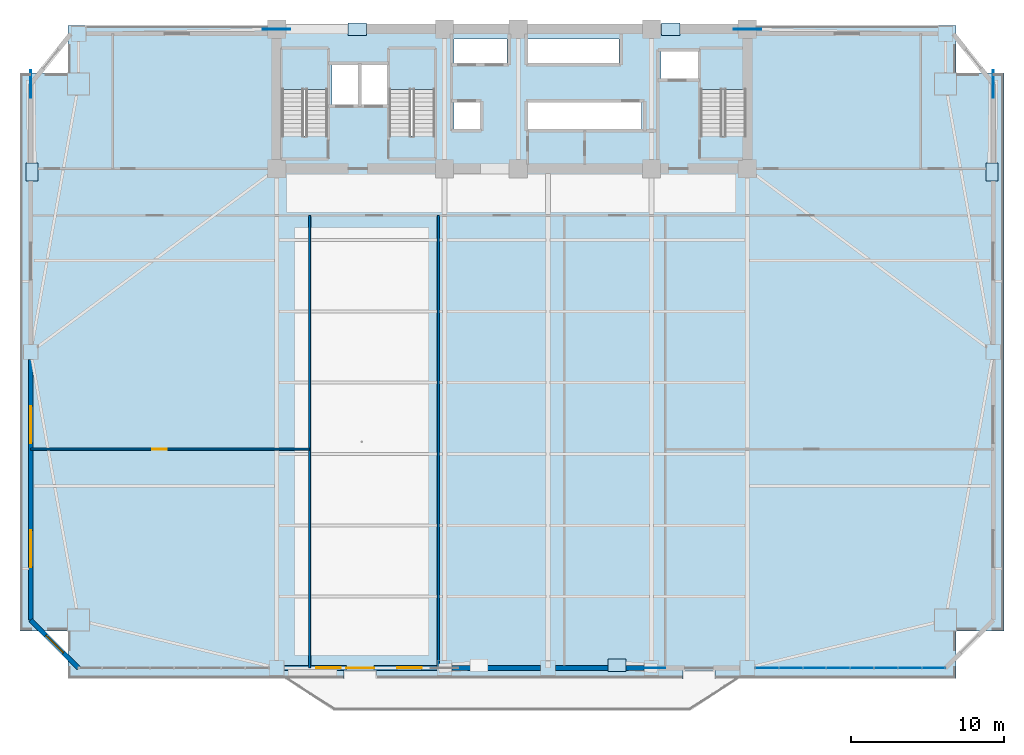
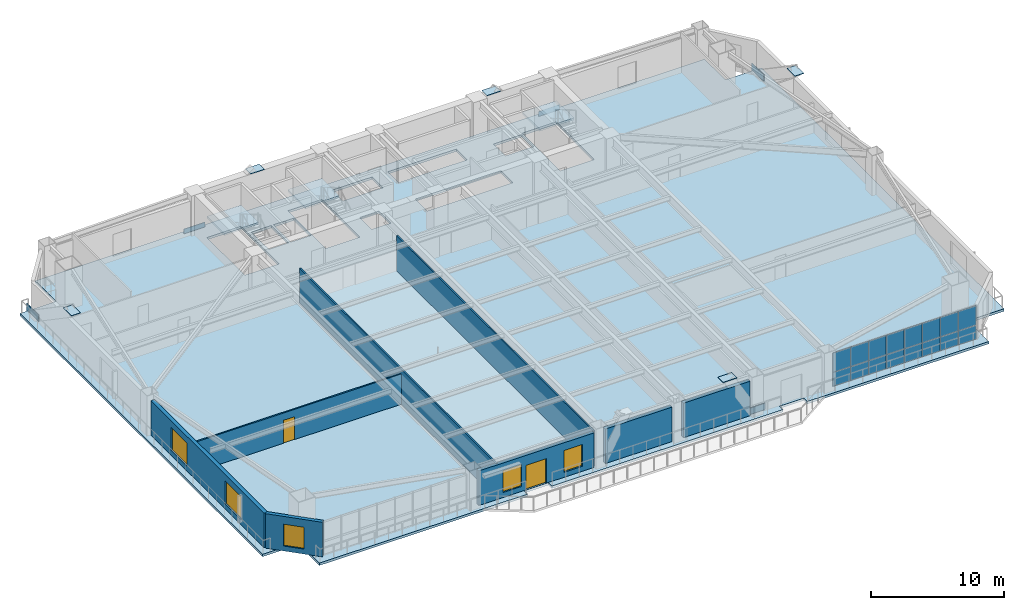
# One storey, part 9 of 18: 26 plates, 8 walls, 5 windows, 4 slabs, 2 doors, 7 openings, 4 elements without a shape of their own.
"""IFC4 building model written with IfcOpenShell, lengths in metres."""

from ifc_helpers import new_model, si_unit, direction, frame, frame_2d, origin, origin_2d, place, context, subcontext, project, spatial, polyline, rectangle, outline, extrude, source, transform, mapped, material, layer, layer_set, type_object, element, fill, aggregate, save


model = new_model("IFC4")

# Units and contexts
model_context = context("Model", 3, precision=1e-05, world=origin(), true_north=direction((0.0, 1.0)))
body_context = subcontext(model_context, "Body", "Model", "MODEL_VIEW")
ifc_project = project(units=[si_unit("LENGTHUNIT", "METRE"), si_unit("AREAUNIT", "SQUARE_METRE"), si_unit("VOLUMEUNIT", "CUBIC_METRE"), si_unit("PLANEANGLEUNIT", "RADIAN"), si_unit("MASSUNIT", "GRAM", prefix="KILO")], contexts=[model_context])

# Site, building, storey
site_placement = place(None, origin())
site = spatial("IfcSite", under=ifc_project, at=site_placement, CompositionType="ELEMENT")
building_placement = place(site_placement, origin())
building = spatial("IfcBuilding", under=site, at=building_placement, Name="Giltprow Tower", CompositionType="ELEMENT")
storey_placement = place(building_placement, frame((0.0, 0.0, 61.10009765625)))
storey = spatial("IfcBuildingStorey", under=building, at=storey_placement, Name="L15", CompositionType="ELEMENT", Elevation=61.10009765625)

# Slab
ifc_material_1 = material(Name="Concrete C40", Category="concrete")
ifc_layer_1 = layer(ifc_material_1, 0.219970703125, Name="Concrete C40")
ifc_layer_set_1 = layer_set([ifc_layer_1], Name="Concrete C40")
slab_type_1 = type_object("IfcSlabType", Name="SLB-OFF-220", PredefinedType="FLOOR", material=ifc_layer_set_1)
slab_1_placement = place(storey_placement, frame((0.0, 0.0, -0.22021484375)))
element("IfcSlab", 1, at=slab_1_placement, inside=storey, type_object=slab_type_1, Name="L15 Structural Composite Floor Slab", PredefinedType="FLOOR", context=body_context, shape_type="SweptSolid", body=[
    extrude(outline(polyline([(6.22705078125, 4.181884765625), (6.22705078125, 7.303955078125), (3.10498046875, 7.303955078125), (3.10498046875, 43.677978515625), (6.22705078125, 43.677978515625), (6.22705078125, 46.800048828125), (64.174072265625, 46.800048828125), (64.174072265625, 43.677978515625), (67.2958984375, 43.677978515625), (67.2958984375, 7.303955078125), (64.174072265625, 7.303955078125), (64.174072265625, 4.181884765625), (48.449951171875, 4.181884765625), (48.449951171875, 4.701904296875), (46.35009765625, 4.701904296875), (46.35009765625, 4.181884765625), (26.35009765625, 4.181884765625), (26.35009765625, 4.701904296875), (24.25, 4.701904296875), (24.25, 4.181884765625), (6.22705078125, 4.181884765625)]), holes=[polyline([(33.10009765625, 41.800048828125), (31.419921875, 41.800048828125), (31.419921875, 40.0), (33.10009765625, 40.0), (33.10009765625, 41.800048828125)]), polyline([(23.159912109375, 39.570068359375), (23.159912109375, 45.25), (20.199951171875, 45.25), (20.199951171875, 39.570068359375), (23.159912109375, 39.570068359375)]), polyline([(30.159912109375, 45.25), (27.199951171875, 45.25), (27.199951171875, 39.570068359375), (30.159912109375, 39.570068359375), (30.159912109375, 45.25)]), polyline([(25.169921875, 41.60009765625), (25.169921875, 44.199951171875), (23.449951171875, 44.199951171875), (23.449951171875, 41.60009765625), (25.169921875, 41.60009765625)]), polyline([(27.10009765625, 41.60009765625), (27.10009765625, 44.199951171875), (25.35009765625, 44.199951171875), (25.35009765625, 41.60009765625), (27.10009765625, 41.60009765625)]), polyline([(43.659912109375, 40.0), (43.659912109375, 41.800048828125), (36.239990234375, 41.800048828125), (36.239990234375, 40.0), (43.659912109375, 40.0)]), polyline([(50.4599609375, 39.570068359375), (50.4599609375, 45.25), (47.5, 45.25), (47.5, 39.570068359375), (50.4599609375, 39.570068359375)]), polyline([(47.3798828125, 45.10009765625), (44.919921875, 45.10009765625), (44.919921875, 43.300048828125), (47.3798828125, 43.300048828125), (47.3798828125, 45.10009765625)]), polyline([(34.8798828125, 44.300048828125), (34.8798828125, 45.919921875), (31.419921875, 45.919921875), (31.419921875, 44.300048828125), (34.8798828125, 44.300048828125)]), polyline([(42.169921875, 44.300048828125), (42.169921875, 45.919921875), (36.239990234375, 45.919921875), (36.239990234375, 44.300048828125), (42.169921875, 44.300048828125)])]), origin(), (0.0, 0.0, 1.0), 0.22021484375),
])

# Stair, slab
stair_type_1 = type_object("IfcStairType", Name="STR-ST-1", PredefinedType="HALF_TURN_STAIR", material=ifc_material_1)
stair_1_placement = place(storey_placement, origin())
stair_1 = element("IfcStair", 2, at=stair_1_placement, inside=storey, type_object=stair_type_1, Name="L15 Core Exit Stair ST-1", PredefinedType="HALF_TURN_STAIR")
ifc_layer_2 = layer(ifc_material_1, 0.179931640625, Name="Concrete C40")
ifc_layer_set_2 = layer_set([ifc_layer_2], Name="Concrete C40")
slab_type_2 = type_object("IfcSlabType", Name="SLD-ST-1", PredefinedType="LANDING", material=ifc_layer_set_2)
slab_2_placement = place(storey_placement, frame((0.0, 0.0, 1.77001953125)))
slab_2 = element("IfcSlab", 3, at=slab_2_placement, type_object=slab_type_2, Name="ST-1 landing 1", PredefinedType="LANDING", context=body_context, shape_type="SweptSolid", body=[
    extrude(outline(polyline([(23.159912109375, 42.6298828125), (23.159912109375, 45.25), (20.199951171875, 45.25), (20.199951171875, 42.6298828125), (23.159912109375, 42.6298828125)])), origin(), (0.0, 0.0, 1.0), 0.179931640625),
])
aggregate(stair_1, [slab_2])

stair_type_2 = type_object("IfcStairType", Name="STR-ST-2", PredefinedType="HALF_TURN_STAIR", material=ifc_material_1)
stair_2_placement = place(storey_placement, origin())
stair_2 = element("IfcStair", 4, at=stair_2_placement, inside=storey, type_object=stair_type_2, Name="L15 Core Exit Stair ST-2", PredefinedType="HALF_TURN_STAIR")
ifc_layer_3 = layer(ifc_material_1, 0.18798828125, Name="Concrete C40")
ifc_layer_set_3 = layer_set([ifc_layer_3], Name="Concrete C40")
slab_type_3 = type_object("IfcSlabType", Name="SLD-ST-2", PredefinedType="LANDING", material=ifc_layer_set_3)
slab_3_placement = place(storey_placement, frame((0.0, 0.0, 1.761962890625)))
slab_3 = element("IfcSlab", 5, at=slab_3_placement, type_object=slab_type_3, Name="ST-2 landing 1", PredefinedType="LANDING", context=body_context, shape_type="SweptSolid", body=[
    extrude(outline(polyline([(30.159912109375, 42.6298828125), (30.159912109375, 45.25), (27.199951171875, 45.25), (27.199951171875, 42.6298828125), (30.159912109375, 42.6298828125)])), origin(), (0.0, 0.0, 1.0), 0.18798828125),
])
aggregate(stair_2, [slab_3])

stair_type_3 = type_object("IfcStairType", Name="STR-ST-3", PredefinedType="HALF_TURN_STAIR", material=ifc_material_1)
stair_3_placement = place(storey_placement, origin())
stair_3 = element("IfcStair", 6, at=stair_3_placement, inside=storey, type_object=stair_type_3, Name="L15 Core Exit Stair ST-3", PredefinedType="HALF_TURN_STAIR")
ifc_layer_4 = layer(ifc_material_1, 0.196044921875, Name="Concrete C40")
ifc_layer_set_4 = layer_set([ifc_layer_4], Name="Concrete C40")
slab_type_4 = type_object("IfcSlabType", Name="SLD-ST-3", PredefinedType="LANDING", material=ifc_layer_set_4)
slab_4_placement = place(storey_placement, frame((0.0, 0.0, 1.75390625)))
slab_4 = element("IfcSlab", 7, at=slab_4_placement, type_object=slab_type_4, Name="ST-3 landing 1", PredefinedType="LANDING", context=body_context, shape_type="SweptSolid", body=[
    extrude(outline(polyline([(50.4599609375, 42.6298828125), (50.4599609375, 45.25), (47.5, 45.25), (47.5, 42.6298828125), (50.4599609375, 42.6298828125)])), origin(), (0.0, 0.0, 1.0), 0.196044921875),
])
aggregate(stair_3, [slab_4])

# Plates
ifc_material_2 = material(Name="Structural steel Q420GJC", Category="steel")
plate_type_1 = type_object("IfcPlateType", Name="PLT-NODE-MBN1", PredefinedType="USERDEFINED", material=ifc_material_2)
shared_shape_1 = source(origin(), body_context, "Body", "SweptSolid", [
    extrude(rectangle(XDim=1.800048828125, YDim=0.050048828125, at=origin_2d()), origin(), (0.0, 0.0, 1.0), 1.14990234375),
])
for number, where, z_axis, x_axis, name in (
    (8, (44.300048828125, 4.882080078125, -0.574951171875), (0.0, 0.0, 1.0), (1.0, 0.0, 0.0), "Mega-Brace Node L15-S-RA"),
    (9, (19.85009765625, 46.550048828125, -0.715087890625), (0.0, 0.0, 1.0), (1.0, 0.0, 0.0), "Mega-Brace Node L15-N-LA"),
    (10, (50.550048828125, 46.550048828125, -0.715087890625), (0.0, 0.0, 1.0), (1.0, 0.0, 0.0), "Mega-Brace Node L15-N-RA"),
    (11, (3.804931640625, 42.97802734375, -0.574951171875), (0.0, 0.0, 1.0), (0.0, 1.0, 0.0), "Mega-Brace Node L15-W-RA"),
    (12, (66.595947265625, 42.97802734375, -0.574951171875), (0.0, 0.0, 1.0), (0.0, 1.0, 0.0), "Mega-Brace Node L15-E-RA"),
):
    element("IfcPlate", number, at=place(storey_placement, frame(where, z_axis=z_axis, x_axis=x_axis)), inside=storey, type_object=plate_type_1, Name=name, ObjectType="GUSSET", PredefinedType="USERDEFINED", context=body_context, shape_type="MappedRepresentation", body=[
        mapped(shared_shape_1, transform((0.0, 0.0, 0.0), x_axis=(1.0, 0.0, 0.0), y_axis=(0.0, 1.0, 0.0), z_axis=(0.0, 0.0, 1.0), scale=1.0)),
    ])
plate_type_2 = type_object("IfcPlateType", Name="PLT-CAP-SEAL", PredefinedType="USERDEFINED", material=ifc_material_2)
shared_shape_2 = source(origin(), body_context, "Body", "SweptSolid", [
    extrude(rectangle(XDim=1.199951171875, YDim=0.800048828125, at=origin_2d()), origin(), (0.0, 0.0, 1.0), 0.034912109375),
])
for number, where, z_axis, x_axis, name in (
    (13, (42.050048828125, 5.05810546875, 3.88232421875), (0.0, 0.0, 1.0), (1.0, 0.0, 0.0), "Mega-Brace Node L15-S-RB"),
    (14, (25.10009765625, 46.550048828125, 3.74267578125), (0.0, 0.0, 1.0), (1.0, 0.0, 0.0), "Mega-Brace Node L15-N-LB"),
    (15, (45.56689453125, 46.550048828125, 3.74267578125), (0.0, 0.0, 1.0), (1.0, 0.0, 0.0), "Mega-Brace Node L15-N-RB"),
    (16, (3.883056640625, 37.237060546875, 3.88232421875), (0.0, 0.0, 1.0), (0.0, 1.0, 0.0), "Mega-Brace Node L15-W-RB"),
    (17, (66.51806640625, 37.237060546875, 3.88232421875), (0.0, 0.0, 1.0), (0.0, 1.0, 0.0), "Mega-Brace Node L15-E-RB"),
):
    element("IfcPlate", number, at=place(storey_placement, frame(where, z_axis=z_axis, x_axis=x_axis)), inside=storey, type_object=plate_type_2, Name=name, ObjectType="SPLICE", PredefinedType="USERDEFINED", context=body_context, shape_type="MappedRepresentation", body=[
        mapped(shared_shape_2, transform((0.0, 0.0, 0.0), x_axis=(1.0, 0.0, 0.0), y_axis=(0.0, 1.0, 0.0), z_axis=(0.0, 0.0, 1.0), scale=1.0)),
    ])

# Curtain wall, plates
ifc_material_3 = material(Name="Anodized bronze", Category="metal")
ifc_layer_5 = layer(ifc_material_3, 0.179931640625, Name="Anodized bronze")
ifc_layer_set_5 = layer_set([ifc_layer_5], Name="Anodized bronze")
curtain_wall_type = type_object("IfcCurtainWallType", Name="CW-OFF-RECESSED", PredefinedType="NOTDEFINED", material=ifc_layer_set_5)
curtain_wall_placement = place(storey_placement, origin())
curtain_wall = element("IfcCurtainWall", 18, at=curtain_wall_placement, inside=storey, type_object=curtain_wall_type, Name="L15 South Recessed Curtain Wall 6", PredefinedType="NOTDEFINED")
ifc_material_4 = material(Name="Insulated glass", Category="glass")
plate_type_3 = type_object("IfcPlateType", Name="CW-PANEL-IGU-28", PredefinedType="CURTAIN_PANEL", material=ifc_material_4)
shared_shape_3 = source(origin(), body_context, "Body", "SweptSolid", [
    extrude(rectangle(XDim=1.52294921875, YDim=0.028076171875, at=origin_2d()), origin(), (0.0, 0.0, 1.0), 1.259033203125),
])
plate_1_placement = place(storey_placement, frame((51.825927734375, 4.882080078125, 0.05419921875), z_axis=(0.0, 0.0, 1.0), x_axis=(1.0, 0.0, 0.0)))
plate_1 = element("IfcPlate", 19, at=plate_1_placement, type_object=plate_type_3, Name="L15 South Recessed Curtain Wall 6 Glazing Panel 1-1", PredefinedType="CURTAIN_PANEL", context=body_context, shape_type="MappedRepresentation", body=[
    mapped(shared_shape_3, transform((0.0, 0.0, 0.0), x_axis=(1.0, 0.0, 0.0), y_axis=(0.0, 1.0, 0.0), z_axis=(0.0, 0.0, 1.0), scale=1.0)),
])
plate_2_placement = place(storey_placement, frame((53.3798828125, 4.882080078125, 0.05419921875), z_axis=(0.0, 0.0, 1.0), x_axis=(1.0, 0.0, 0.0)))
plate_2 = element("IfcPlate", 20, at=plate_2_placement, type_object=plate_type_3, Name="L15 South Recessed Curtain Wall 6 Glazing Panel 2-1", PredefinedType="CURTAIN_PANEL", context=body_context, shape_type="MappedRepresentation", body=[
    mapped(shared_shape_3, transform((0.0, 0.0, 0.0), x_axis=(1.0, 0.0, 0.0), y_axis=(0.0, 1.0, 0.0), z_axis=(0.0, 0.0, 1.0), scale=1.0)),
])
plate_3_placement = place(storey_placement, frame((54.931884765625, 4.882080078125, 0.05419921875), z_axis=(0.0, 0.0, 1.0), x_axis=(1.0, 0.0, 0.0)))
plate_3 = element("IfcPlate", 21, at=plate_3_placement, type_object=plate_type_3, Name="L15 South Recessed Curtain Wall 6 Glazing Panel 3-1", PredefinedType="CURTAIN_PANEL", context=body_context, shape_type="MappedRepresentation", body=[
    mapped(shared_shape_3, transform((0.0, 0.0, 0.0), x_axis=(1.0, 0.0, 0.0), y_axis=(0.0, 1.0, 0.0), z_axis=(0.0, 0.0, 1.0), scale=1.0)),
])
plate_4_placement = place(storey_placement, frame((56.485107421875, 4.882080078125, 0.05419921875), z_axis=(0.0, 0.0, 1.0), x_axis=(1.0, 0.0, 0.0)))
plate_4 = element("IfcPlate", 22, at=plate_4_placement, type_object=plate_type_3, Name="L15 South Recessed Curtain Wall 6 Glazing Panel 4-1", PredefinedType="CURTAIN_PANEL", context=body_context, shape_type="MappedRepresentation", body=[
    mapped(shared_shape_3, transform((0.0, 0.0, 0.0), x_axis=(1.0, 0.0, 0.0), y_axis=(0.0, 1.0, 0.0), z_axis=(0.0, 0.0, 1.0), scale=1.0)),
])
plate_5_placement = place(storey_placement, frame((58.0380859375, 4.882080078125, 0.05419921875), z_axis=(0.0, 0.0, 1.0), x_axis=(1.0, 0.0, 0.0)))
plate_5 = element("IfcPlate", 23, at=plate_5_placement, type_object=plate_type_3, Name="L15 South Recessed Curtain Wall 6 Glazing Panel 5-1", PredefinedType="CURTAIN_PANEL", context=body_context, shape_type="MappedRepresentation", body=[
    mapped(shared_shape_3, transform((0.0, 0.0, 0.0), x_axis=(1.0, 0.0, 0.0), y_axis=(0.0, 1.0, 0.0), z_axis=(0.0, 0.0, 1.0), scale=1.0)),
])
plate_6_placement = place(storey_placement, frame((59.591064453125, 4.882080078125, 0.05419921875), z_axis=(0.0, 0.0, 1.0), x_axis=(1.0, 0.0, 0.0)))
plate_6 = element("IfcPlate", 24, at=plate_6_placement, type_object=plate_type_3, Name="L15 South Recessed Curtain Wall 6 Glazing Panel 6-1", PredefinedType="CURTAIN_PANEL", context=body_context, shape_type="MappedRepresentation", body=[
    mapped(shared_shape_3, transform((0.0, 0.0, 0.0), x_axis=(1.0, 0.0, 0.0), y_axis=(0.0, 1.0, 0.0), z_axis=(0.0, 0.0, 1.0), scale=1.0)),
])
plate_7_placement = place(storey_placement, frame((61.14404296875, 4.882080078125, 0.05419921875), z_axis=(0.0, 0.0, 1.0), x_axis=(1.0, 0.0, 0.0)))
plate_7 = element("IfcPlate", 25, at=plate_7_placement, type_object=plate_type_3, Name="L15 South Recessed Curtain Wall 6 Glazing Panel 7-1", PredefinedType="CURTAIN_PANEL", context=body_context, shape_type="MappedRepresentation", body=[
    mapped(shared_shape_3, transform((0.0, 0.0, 0.0), x_axis=(1.0, 0.0, 0.0), y_axis=(0.0, 1.0, 0.0), z_axis=(0.0, 0.0, 1.0), scale=1.0)),
])
plate_8_placement = place(storey_placement, frame((62.697021484375, 4.882080078125, 0.05419921875), z_axis=(0.0, 0.0, 1.0), x_axis=(1.0, 0.0, 0.0)))
plate_8 = element("IfcPlate", 26, at=plate_8_placement, type_object=plate_type_3, Name="L15 South Recessed Curtain Wall 6 Glazing Panel 8-1", PredefinedType="CURTAIN_PANEL", context=body_context, shape_type="MappedRepresentation", body=[
    mapped(shared_shape_3, transform((0.0, 0.0, 0.0), x_axis=(1.0, 0.0, 0.0), y_axis=(0.0, 1.0, 0.0), z_axis=(0.0, 0.0, 1.0), scale=1.0)),
])
shared_shape_4 = source(origin(), body_context, "Body", "SweptSolid", [
    extrude(rectangle(XDim=1.52294921875, YDim=0.028076171875, at=origin_2d()), origin(), (0.0, 0.0, 1.0), 1.764892578125),
])
plate_9_placement = place(storey_placement, frame((51.825927734375, 4.882080078125, 1.34130859375), z_axis=(0.0, 0.0, 1.0), x_axis=(1.0, 0.0, 0.0)))
plate_9 = element("IfcPlate", 27, at=plate_9_placement, type_object=plate_type_3, Name="L15 South Recessed Curtain Wall 6 Glazing Panel 1-2", PredefinedType="CURTAIN_PANEL", context=body_context, shape_type="MappedRepresentation", body=[
    mapped(shared_shape_4, transform((0.0, 0.0, 0.0), x_axis=(1.0, 0.0, 0.0), y_axis=(0.0, 1.0, 0.0), z_axis=(0.0, 0.0, 1.0), scale=1.0)),
])
plate_10_placement = place(storey_placement, frame((53.3798828125, 4.882080078125, 1.34130859375), z_axis=(0.0, 0.0, 1.0), x_axis=(1.0, 0.0, 0.0)))
plate_10 = element("IfcPlate", 28, at=plate_10_placement, type_object=plate_type_3, Name="L15 South Recessed Curtain Wall 6 Glazing Panel 2-2", PredefinedType="CURTAIN_PANEL", context=body_context, shape_type="MappedRepresentation", body=[
    mapped(shared_shape_4, transform((0.0, 0.0, 0.0), x_axis=(1.0, 0.0, 0.0), y_axis=(0.0, 1.0, 0.0), z_axis=(0.0, 0.0, 1.0), scale=1.0)),
])
plate_11_placement = place(storey_placement, frame((54.931884765625, 4.882080078125, 1.34130859375), z_axis=(0.0, 0.0, 1.0), x_axis=(1.0, 0.0, 0.0)))
plate_11 = element("IfcPlate", 29, at=plate_11_placement, type_object=plate_type_3, Name="L15 South Recessed Curtain Wall 6 Glazing Panel 3-2", PredefinedType="CURTAIN_PANEL", context=body_context, shape_type="MappedRepresentation", body=[
    mapped(shared_shape_4, transform((0.0, 0.0, 0.0), x_axis=(1.0, 0.0, 0.0), y_axis=(0.0, 1.0, 0.0), z_axis=(0.0, 0.0, 1.0), scale=1.0)),
])
plate_12_placement = place(storey_placement, frame((56.485107421875, 4.882080078125, 1.34130859375), z_axis=(0.0, 0.0, 1.0), x_axis=(1.0, 0.0, 0.0)))
plate_12 = element("IfcPlate", 30, at=plate_12_placement, type_object=plate_type_3, Name="L15 South Recessed Curtain Wall 6 Glazing Panel 4-2", PredefinedType="CURTAIN_PANEL", context=body_context, shape_type="MappedRepresentation", body=[
    mapped(shared_shape_4, transform((0.0, 0.0, 0.0), x_axis=(1.0, 0.0, 0.0), y_axis=(0.0, 1.0, 0.0), z_axis=(0.0, 0.0, 1.0), scale=1.0)),
])
plate_13_placement = place(storey_placement, frame((58.0380859375, 4.882080078125, 1.34130859375), z_axis=(0.0, 0.0, 1.0), x_axis=(1.0, 0.0, 0.0)))
plate_13 = element("IfcPlate", 31, at=plate_13_placement, type_object=plate_type_3, Name="L15 South Recessed Curtain Wall 6 Glazing Panel 5-2", PredefinedType="CURTAIN_PANEL", context=body_context, shape_type="MappedRepresentation", body=[
    mapped(shared_shape_4, transform((0.0, 0.0, 0.0), x_axis=(1.0, 0.0, 0.0), y_axis=(0.0, 1.0, 0.0), z_axis=(0.0, 0.0, 1.0), scale=1.0)),
])
plate_14_placement = place(storey_placement, frame((59.591064453125, 4.882080078125, 1.34130859375), z_axis=(0.0, 0.0, 1.0), x_axis=(1.0, 0.0, 0.0)))
plate_14 = element("IfcPlate", 32, at=plate_14_placement, type_object=plate_type_3, Name="L15 South Recessed Curtain Wall 6 Glazing Panel 6-2", PredefinedType="CURTAIN_PANEL", context=body_context, shape_type="MappedRepresentation", body=[
    mapped(shared_shape_4, transform((0.0, 0.0, 0.0), x_axis=(1.0, 0.0, 0.0), y_axis=(0.0, 1.0, 0.0), z_axis=(0.0, 0.0, 1.0), scale=1.0)),
])
plate_15_placement = place(storey_placement, frame((61.14404296875, 4.882080078125, 1.34130859375), z_axis=(0.0, 0.0, 1.0), x_axis=(1.0, 0.0, 0.0)))
plate_15 = element("IfcPlate", 33, at=plate_15_placement, type_object=plate_type_3, Name="L15 South Recessed Curtain Wall 6 Glazing Panel 7-2", PredefinedType="CURTAIN_PANEL", context=body_context, shape_type="MappedRepresentation", body=[
    mapped(shared_shape_4, transform((0.0, 0.0, 0.0), x_axis=(1.0, 0.0, 0.0), y_axis=(0.0, 1.0, 0.0), z_axis=(0.0, 0.0, 1.0), scale=1.0)),
])
plate_16_placement = place(storey_placement, frame((62.697021484375, 4.882080078125, 1.34130859375), z_axis=(0.0, 0.0, 1.0), x_axis=(1.0, 0.0, 0.0)))
plate_16 = element("IfcPlate", 34, at=plate_16_placement, type_object=plate_type_3, Name="L15 South Recessed Curtain Wall 6 Glazing Panel 8-2", PredefinedType="CURTAIN_PANEL", context=body_context, shape_type="MappedRepresentation", body=[
    mapped(shared_shape_4, transform((0.0, 0.0, 0.0), x_axis=(1.0, 0.0, 0.0), y_axis=(0.0, 1.0, 0.0), z_axis=(0.0, 0.0, 1.0), scale=1.0)),
])
aggregate(curtain_wall, [plate_1, plate_9, plate_2, plate_10, plate_3, plate_11, plate_4, plate_12, plate_5, plate_13, plate_6, plate_14, plate_7, plate_15, plate_8, plate_16])

# Wall, opening, window
ifc_material_5 = material(Name="Precast concrete C40", Category="concrete")
ifc_layer_6 = layer(ifc_material_5, 0.300048828125, Name="Precast concrete C40")
ifc_layer_set_6 = layer_set([ifc_layer_6], Name="Precast concrete C40")
wall_type_1 = type_object("IfcWallType", Name="EW-NOTCH-CHAMFER-300", PredefinedType="SOLIDWALL", material=ifc_layer_set_6)
wall_1_placement = place(storey_placement, frame((3.804931640625, 8.00390625, 0.0), z_axis=(0.0, 0.0, 1.0), x_axis=(0.707134429005, -0.707079132287, 0.0)))
wall_1 = element("IfcWall", 35, at=wall_1_placement, inside=storey, type_object=wall_type_1, Name="L15 Corner Notch Wall SW", PredefinedType="SOLIDWALL", context=body_context, shape_type="SweptSolid", body=[
    extrude(rectangle(XDim=4.4150390625, YDim=0.300048828125, at=frame_2d((2.20751953125, 0.0))), origin(), (0.0, 0.0, 1.0), 3.159912109375),
])
opening_1_placement = place(wall_1_placement, frame((1.407958984375, 0.0, 0.449951171875)))
opening_1 = element("IfcOpeningElement", 36, at=opening_1_placement, cuts=wall_1, Name="Opening WN17", PredefinedType="OPENING", context=body_context, shape_type="SweptSolid", body=[
    extrude(rectangle(XDim=1.60009765625, YDim=2.0, at=frame_2d((0.800048828125, 1.0))), frame((0.0, 0.159912109375, 0.0), z_axis=(0.0, -1.0, 0.0), x_axis=(1.0, 0.0, 0.0)), (0.0, 0.0, 1.0), 0.320068359375),
])
window_type_1 = type_object("IfcWindowType", Name="WN-COR-1600x2000", PartitioningType="SINGLE_PANEL", PredefinedType="WINDOW", material=ifc_material_4)
shared_shape_5 = source(origin(), body_context, "Body", "SweptSolid", [
    extrude(rectangle(XDim=1.60009765625, YDim=2.0, at=frame_2d((0.800048828125, 1.0))), frame((0.0, 0.030029296875, 0.0), z_axis=(0.0, -1.0, 0.0), x_axis=(1.0, 0.0, 0.0)), (0.0, 0.0, 1.0), 0.06005859375),
])
window_1_placement = place(opening_1_placement, origin())
window_1 = element("IfcWindow", 37, at=window_1_placement, inside=storey, type_object=window_type_1, Name="L15 Corner Notch Window SW", OverallHeight=2.0, OverallWidth=1.60009765625, PartitioningType="SINGLE_PANEL", PredefinedType="WINDOW", context=body_context, shape_type="MappedRepresentation", body=[
    mapped(shared_shape_5, transform((0.0, 0.0, 0.0), x_axis=(1.0, 0.0, 0.0), y_axis=(0.0, 1.0, 0.0), z_axis=(0.0, 0.0, 1.0), scale=1.0)),
])
fill(opening_1, window_1)

# Wall, openings, windows, door
ifc_layer_7 = layer(ifc_material_5, 0.320068359375, Name="Precast concrete C40")
ifc_layer_set_7 = layer_set([ifc_layer_7], Name="Precast concrete C40")
wall_type_2 = type_object("IfcWallType", Name="EW-TOW-STONE-320", PredefinedType="SOLIDWALL", material=ifc_layer_set_7)
wall_2_placement = place(storey_placement, frame((20.35009765625, 4.882080078125, 0.0), z_axis=(0.0, 0.0, 1.0), x_axis=(1.0, 0.0, 0.0)))
wall_2 = element("IfcWall", 38, at=wall_2_placement, inside=storey, type_object=wall_type_2, Name="L15 South Expressed Frame Wall 2", PredefinedType="SOLIDWALL", context=body_context, shape_type="SweptSolid", body=[
    extrude(rectangle(XDim=9.949951171875, YDim=0.320068359375, at=frame_2d((4.97509765625, 0.0))), origin(), (0.0, 0.0, 1.0), 3.159912109375),
])
opening_2_placement = place(wall_2_placement, frame((4.050048828125, 0.0, 0.0)))
opening_2 = element("IfcOpeningElement", 39, at=opening_2_placement, cuts=wall_2, Name="Opening ED25", PredefinedType="OPENING", context=body_context, shape_type="SweptSolid", body=[
    extrude(rectangle(XDim=1.800048828125, YDim=2.25, at=frame_2d((0.89990234375, 1.125))), frame((0.0, 0.169921875, 0.0), z_axis=(0.0, -1.0, 0.0), x_axis=(1.0, 0.0, 0.0)), (0.0, 0.0, 1.0), 0.340087890625),
])
opening_3_placement = place(wall_2_placement, frame((2.094970703125, 0.0, 0.449951171875)))
opening_3 = element("IfcOpeningElement", 40, at=opening_3_placement, cuts=wall_2, Name="Opening WN17", PredefinedType="OPENING", context=body_context, shape_type="SweptSolid", body=[
    extrude(rectangle(XDim=1.60009765625, YDim=2.0, at=frame_2d((0.800048828125, 1.0))), frame((0.0, 0.169921875, 0.0), z_axis=(0.0, -1.0, 0.0), x_axis=(1.0, 0.0, 0.0)), (0.0, 0.0, 1.0), 0.340087890625),
])
opening_4_placement = place(wall_2_placement, frame((7.35009765625, 0.0, 0.449951171875)))
opening_4 = element("IfcOpeningElement", 41, at=opening_4_placement, cuts=wall_2, Name="Opening WN17", PredefinedType="OPENING", context=body_context, shape_type="SweptSolid", body=[
    extrude(rectangle(XDim=1.60009765625, YDim=2.0, at=frame_2d((0.800048828125, 1.0))), frame((0.0, 0.169921875, 0.0), z_axis=(0.0, -1.0, 0.0), x_axis=(1.0, 0.0, 0.0)), (0.0, 0.0, 1.0), 0.340087890625),
])
window_2_placement = place(opening_3_placement, origin())
window_2 = element("IfcWindow", 42, at=window_2_placement, inside=storey, type_object=window_type_1, Name="L15 South Window 2A", OverallHeight=2.0, OverallWidth=1.60009765625, PartitioningType="SINGLE_PANEL", PredefinedType="WINDOW", context=body_context, shape_type="MappedRepresentation", body=[
    mapped(shared_shape_5, transform((0.0, 0.0, 0.0), x_axis=(1.0, 0.0, 0.0), y_axis=(0.0, 1.0, 0.0), z_axis=(0.0, 0.0, 1.0), scale=1.0)),
])
fill(opening_3, window_2)
window_3_placement = place(opening_4_placement, origin())
window_3 = element("IfcWindow", 43, at=window_3_placement, inside=storey, type_object=window_type_1, Name="L15 South Window 2B", OverallHeight=2.0, OverallWidth=1.60009765625, PartitioningType="SINGLE_PANEL", PredefinedType="WINDOW", context=body_context, shape_type="MappedRepresentation", body=[
    mapped(shared_shape_5, transform((0.0, 0.0, 0.0), x_axis=(1.0, 0.0, 0.0), y_axis=(0.0, 1.0, 0.0), z_axis=(0.0, 0.0, 1.0), scale=1.0)),
])
fill(opening_4, window_3)
ifc_material_6 = material(Name="Anodized bronze and glass", Category="glass")
door_type_1 = type_object("IfcDoorType", Name="DR-BALC-SLIDE-1800", OperationType="SLIDING_TO_LEFT", PredefinedType="DOOR", material=ifc_material_6)
shared_shape_6 = source(origin(), body_context, "Body", "SweptSolid", [
    extrude(rectangle(XDim=1.800048828125, YDim=2.25, at=frame_2d((0.89990234375, 1.125))), frame((0.0, 0.02490234375, 0.0), z_axis=(0.0, -1.0, 0.0), x_axis=(1.0, 0.0, 0.0)), (0.0, 0.0, 1.0), 0.050048828125),
])
door_1_placement = place(opening_2_placement, origin())
door_1 = element("IfcDoor", 44, at=door_1_placement, inside=storey, type_object=door_type_1, Name="L15 Waterfront Balcony Sliding Door 1", OperationType="SLIDING_TO_LEFT", OverallHeight=2.25, OverallWidth=1.800048828125, PredefinedType="DOOR", context=body_context, shape_type="MappedRepresentation", body=[
    mapped(shared_shape_6, transform((0.0, 0.0, 0.0), x_axis=(1.0, 0.0, 0.0), y_axis=(0.0, 1.0, 0.0), z_axis=(0.0, 0.0, 1.0), scale=1.0)),
])
fill(opening_2, door_1)

# Walls
for number, where, z_axis, x_axis, name in (
    (45, (31.300048828125, 4.882080078125, 0.0), (0.0, 0.0, 1.0), (1.0, 0.0, 0.0), "L15 South Expressed Frame Wall 3"),
    (46, (38.050048828125, 4.882080078125, 0.0), (0.0, 0.0, 1.0), (1.0, 0.0, 0.0), "L15 South Expressed Frame Wall 4"),
):
    element("IfcWall", number, at=place(storey_placement, frame(where, z_axis=z_axis, x_axis=x_axis)), inside=storey, type_object=wall_type_2, Name=name, PredefinedType="SOLIDWALL", context=body_context, shape_type="SweptSolid", body=[
        extrude(rectangle(XDim=5.75, YDim=0.320068359375, at=frame_2d((2.875, 0.0))), origin(), (0.0, 0.0, 1.0), 3.159912109375),
    ])

# Wall, openings, windows
wall_3_placement = place(storey_placement, frame((3.804931640625, 8.00390625, 0.0), z_axis=(0.0, 0.0, 1.0), x_axis=(0.0, 1.0, 0.0)))
wall_3 = element("IfcWall", 47, at=wall_3_placement, inside=storey, type_object=wall_type_2, Name="L15 W Wing Masonry Wall 1", PredefinedType="SOLIDWALL", context=body_context, shape_type="SweptSolid", body=[
    extrude(rectangle(XDim=16.987060546875, YDim=0.320068359375, at=frame_2d((8.49365234375, 0.0))), origin(), (0.0, 0.0, 1.0), 3.159912109375),
])
opening_5_placement = place(wall_3_placement, frame((3.45703125, 0.0, 0.449951171875)))
opening_5 = element("IfcOpeningElement", 48, at=opening_5_placement, cuts=wall_3, Name="Opening WN29", PredefinedType="OPENING", context=body_context, shape_type="SweptSolid", body=[
    extrude(rectangle(XDim=2.39990234375, YDim=2.10009765625, at=frame_2d((1.199951171875, 1.050048828125))), frame((0.0, 0.169921875, 0.0), z_axis=(0.0, -1.0, 0.0), x_axis=(1.0, 0.0, 0.0)), (0.0, 0.0, 1.0), 0.340087890625),
])
opening_6_placement = place(wall_3_placement, frame((11.551025390625, 0.0, 0.449951171875)))
opening_6 = element("IfcOpeningElement", 49, at=opening_6_placement, cuts=wall_3, Name="Opening WN29", PredefinedType="OPENING", context=body_context, shape_type="SweptSolid", body=[
    extrude(rectangle(XDim=2.39990234375, YDim=2.10009765625, at=frame_2d((1.199951171875, 1.050048828125))), frame((0.0, 0.169921875, 0.0), z_axis=(0.0, -1.0, 0.0), x_axis=(1.0, 0.0, 0.0)), (0.0, 0.0, 1.0), 0.340087890625),
])
window_type_2 = type_object("IfcWindowType", Name="WN-OFF-2400x2100", PartitioningType="DOUBLE_PANEL_VERTICAL", PredefinedType="WINDOW", material=ifc_material_4)
shared_shape_7 = source(origin(), body_context, "Body", "SweptSolid", [
    extrude(rectangle(XDim=2.39990234375, YDim=2.10009765625, at=frame_2d((1.199951171875, 1.050048828125))), frame((0.0, 0.030029296875, 0.0), z_axis=(0.0, -1.0, 0.0), x_axis=(1.0, 0.0, 0.0)), (0.0, 0.0, 1.0), 0.06005859375),
])
window_4_placement = place(opening_5_placement, origin())
window_4 = element("IfcWindow", 50, at=window_4_placement, inside=storey, type_object=window_type_2, Name="L15 W Wing Window 1-1A", OverallHeight=2.10009765625, OverallWidth=2.39990234375, PartitioningType="SINGLE_PANEL", PredefinedType="WINDOW", context=body_context, shape_type="MappedRepresentation", body=[
    mapped(shared_shape_7, transform((0.0, 0.0, 0.0), x_axis=(1.0, 0.0, 0.0), y_axis=(0.0, 1.0, 0.0), z_axis=(0.0, 0.0, 1.0), scale=1.0)),
])
fill(opening_5, window_4)
window_5_placement = place(opening_6_placement, origin())
window_5 = element("IfcWindow", 51, at=window_5_placement, inside=storey, type_object=window_type_2, Name="L15 W Wing Window 1-1B", OverallHeight=2.10009765625, OverallWidth=2.39990234375, PartitioningType="SINGLE_PANEL", PredefinedType="WINDOW", context=body_context, shape_type="MappedRepresentation", body=[
    mapped(shared_shape_7, transform((0.0, 0.0, 0.0), x_axis=(1.0, 0.0, 0.0), y_axis=(0.0, 1.0, 0.0), z_axis=(0.0, 0.0, 1.0), scale=1.0)),
])
fill(opening_6, window_5)

# Wall, opening, door
ifc_material_7 = material(Name="Gypsum stud partition", Category="gypsum")
ifc_layer_8 = layer(ifc_material_7, 0.1201171875, Name="Gypsum stud partition")
ifc_layer_set_8 = layer_set([ifc_layer_8], Name="Gypsum stud partition")
wall_type_3 = type_object("IfcWallType", Name="IW-ROOM-120", PredefinedType="PARTITIONING", material=ifc_layer_set_8)
wall_4_placement = place(storey_placement, frame((3.804931640625, 19.155029296875, 0.0), z_axis=(0.0, 0.0, 1.0), x_axis=(1.0, 0.0, 0.0)))
wall_4 = element("IfcWall", 52, at=wall_4_placement, inside=storey, type_object=wall_type_3, Name="L15 Office Mid Wall 1", PredefinedType="PARTITIONING", context=body_context, shape_type="SweptSolid", body=[
    extrude(rectangle(XDim=18.195068359375, YDim=0.1201171875, at=frame_2d((9.09765625, 0.0))), origin(), (0.0, 0.0, 1.0), 2.764892578125),
])
opening_7_placement = place(wall_4_placement, frame((7.9208984375, 0.0, 0.0)))
opening_7 = element("IfcOpeningElement", 53, at=opening_7_placement, cuts=wall_4, Name="Opening ID11", PredefinedType="OPENING", context=body_context, shape_type="SweptSolid", body=[
    extrude(rectangle(XDim=0.949951171875, YDim=2.10009765625, at=frame_2d((0.47509765625, 1.050048828125))), frame((0.0, 0.070068359375, 0.0), z_axis=(0.0, -1.0, 0.0), x_axis=(1.0, 0.0, 0.0)), (0.0, 0.0, 1.0), 0.14013671875),
])
ifc_material_8 = material(Name="Engineered timber", Category="wood")
door_type_2 = type_object("IfcDoorType", Name="DR-ROOM-950", OperationType="SINGLE_SWING_RIGHT", PredefinedType="DOOR", material=ifc_material_8)
shared_shape_8 = source(origin(), body_context, "Body", "SweptSolid", [
    extrude(rectangle(XDim=0.949951171875, YDim=2.10009765625, at=frame_2d((0.47509765625, 1.050048828125))), frame((0.0, 0.02490234375, 0.0), z_axis=(0.0, -1.0, 0.0), x_axis=(1.0, 0.0, 0.0)), (0.0, 0.0, 1.0), 0.050048828125),
])
door_2_placement = place(opening_7_placement, origin())
door_2 = element("IfcDoor", 54, at=door_2_placement, inside=storey, type_object=door_type_2, Name="L15 Design Flagship Shop 1 Inner Door", OperationType="SINGLE_SWING_LEFT", OverallHeight=2.10009765625, OverallWidth=0.949951171875, PredefinedType="DOOR", context=body_context, shape_type="MappedRepresentation", body=[
    mapped(shared_shape_8, transform((0.0, 0.0, 0.0), x_axis=(1.0, 0.0, 0.0), y_axis=(0.0, 1.0, 0.0), z_axis=(0.0, 0.0, 1.0), scale=1.0)),
])
fill(opening_7, door_2)

# Walls
wall_5_placement = place(storey_placement, frame((22.0, 4.882080078125, 0.0), z_axis=(0.0, 0.0, 1.0), x_axis=(0.0, 1.0, 0.0)))
element("IfcWall", 55, at=wall_5_placement, inside=storey, type_object=wall_type_3, Name="L15 Office Partition 1", PredefinedType="PARTITIONING", context=body_context, shape_type="SweptSolid", body=[
    extrude(rectangle(XDim=29.517822265625, YDim=0.1201171875, at=frame_2d((14.7587890625, 0.0))), origin(), (0.0, 0.0, 1.0), 3.164794921875),
])
wall_6_placement = place(storey_placement, frame((30.39990234375, 4.882080078125, 0.0), z_axis=(0.0, 0.0, 1.0), x_axis=(0.0, 1.0, 0.0)))
element("IfcWall", 56, at=wall_6_placement, inside=storey, type_object=wall_type_3, Name="L15 Office Partition 2", PredefinedType="PARTITIONING", context=body_context, shape_type="SweptSolid", body=[
    extrude(rectangle(XDim=29.517822265625, YDim=0.1201171875, at=frame_2d((14.7587890625, 0.0))), origin(), (0.0, 0.0, 1.0), 3.21484375),
])

save(model, "model.ifc")
